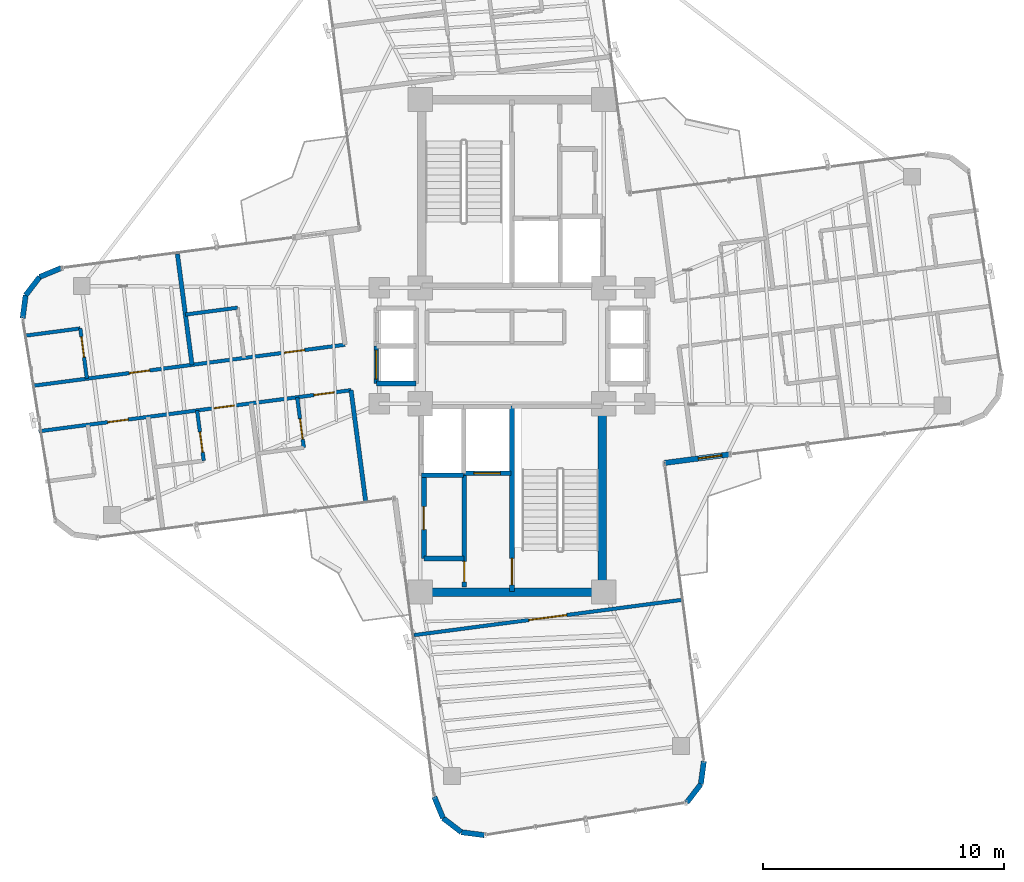
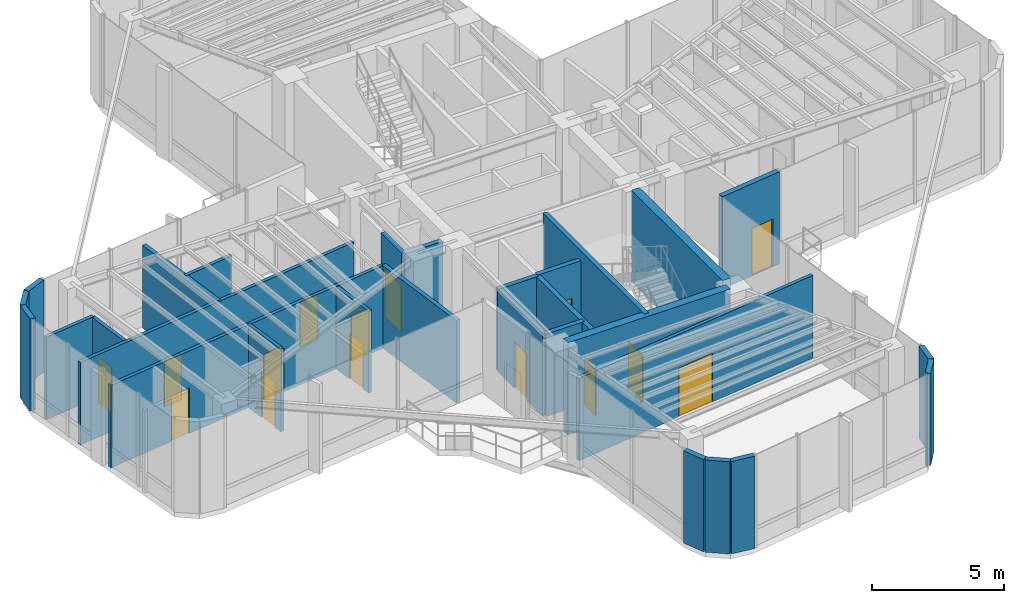
# One storey, part 16 of 20: 29 walls, 15 doors, 15 openings.
"""IFC4 building model written with IfcOpenShell, lengths in metres."""

from ifc_helpers import new_model, si_unit, direction, frame, frame_2d, origin, origin_2d, place, context, subcontext, project, spatial, rectangle, extrude, source, transform, mapped, material, layer, layer_set, type_object, element, fill, save


model = new_model("IFC4")

# Units and contexts
model_context = context("Model", 3, precision=1e-05, world=origin(), true_north=direction((0.0, 1.0)))
body_context = subcontext(model_context, "Body", "Model", "MODEL_VIEW")
ifc_project = project(units=[si_unit("LENGTHUNIT", "METRE"), si_unit("AREAUNIT", "SQUARE_METRE"), si_unit("VOLUMEUNIT", "CUBIC_METRE"), si_unit("PLANEANGLEUNIT", "RADIAN"), si_unit("MASSUNIT", "GRAM", prefix="KILO")], contexts=[model_context])

# Site, building, storey
site_placement = place(None, origin())
site = spatial("IfcSite", under=ifc_project, at=site_placement, CompositionType="ELEMENT")
building_placement = place(site_placement, origin())
building = spatial("IfcBuilding", under=site, at=building_placement, Name="Sahyath Konkavel Grand Hotel", CompositionType="ELEMENT")
storey_placement = place(building_placement, frame((0.0, 0.0, 229.949951171875)))
storey = spatial("IfcBuildingStorey", under=building, at=storey_placement, Name="L64", CompositionType="ELEMENT", Elevation=229.949951171875)

# Walls
ifc_material_1 = material(Name="Concrete C40/50", Category="concrete")
ifc_layer_1 = layer(ifc_material_1, 0.35009765625)
ifc_layer_set_1 = layer_set([ifc_layer_1], Name="Concrete C40/50")
wall_type_1 = type_object("IfcWallType", Name="CWALL-350", PredefinedType="SHEAR", material=ifc_layer_set_1)
wall_1_placement = place(storey_placement, frame((-3.550048828125, -10.199951171875, 0.0), z_axis=(0.0, 0.0, 1.0), x_axis=(1.0, 0.0, 0.0)))
element("IfcWall", 1, at=wall_1_placement, inside=storey, type_object=wall_type_1, Name="L64 South Core Shear Wall S", PredefinedType="SHEAR", context=body_context, shape_type="SweptSolid", body=[
    extrude(rectangle(XDim=7.10009765625, YDim=0.35009765625, at=frame_2d((3.550048828125, 0.0))), origin(), (0.0, 0.0, 1.0), 4.260009765625),
])
wall_2_placement = place(storey_placement, frame((3.739990234375, -9.75, 0.0), z_axis=(0.0, 0.0, 1.0), x_axis=(0.0, 1.0, 0.0)))
element("IfcWall", 2, at=wall_2_placement, inside=storey, type_object=wall_type_1, Name="L64 South Core Shear Wall E", PredefinedType="SHEAR", context=body_context, shape_type="SweptSolid", body=[
    extrude(rectangle(XDim=6.89990234375, YDim=0.35009765625, at=frame_2d((3.449951171875, 0.0))), origin(), (0.0, 0.0, 1.0), 4.260009765625),
])

# Wall, opening, door
ifc_material_2 = material(Name="Warm Buff Sandstone Insulated Concrete C40/50", Category="masonry")
ifc_layer_2 = layer(ifc_material_2, 0.219970703125)
ifc_layer_set_2 = layer_set([ifc_layer_2], Name="Warm Buff Sandstone Insulated Concrete C40/50")
wall_type_2 = type_object("IfcWallType", Name="WLL-BALC-THRESH", PredefinedType="STANDARD", material=ifc_layer_set_2)
wall_3_placement = place(storey_placement, frame((6.320068359375, -4.849609375, 0.0), z_axis=(0.0, 0.0, 1.0), x_axis=(0.991451525486, 0.130475563272, 0.0)))
wall_3 = element("IfcWall", 3, at=wall_3_placement, inside=storey, type_object=wall_type_2, Name="L64 Winter-Garden Threshold Wall 0", PredefinedType="STANDARD", context=body_context, shape_type="SweptSolid", body=[
    extrude(rectangle(XDim=2.7001953125, YDim=0.219970703125, at=frame_2d((1.35009765625, 0.0))), origin(), (0.0, 0.0, 1.0), 4.260009765625),
])
opening_1_placement = place(wall_3_placement, frame((1.39990234375, 0.0, 0.0)))
opening_1 = element("IfcOpeningElement", 4, at=opening_1_placement, cuts=wall_3, Name="Opening D-TR1", PredefinedType="OPENING", context=body_context, shape_type="SweptSolid", body=[
    extrude(rectangle(XDim=1.0, YDim=2.199951171875, at=frame_2d((0.5, 1.10009765625))), frame((0.0, 0.1201171875, 0.0), z_axis=(0.0, -1.0, 0.0), x_axis=(1.0, 0.0, 0.0)), (0.0, 0.0, 1.0), 0.239990234375),
])
ifc_material_3 = material(Name="Anodised Bronze Aluminium & Low-E Glazing", Category="aluminium")
door_type_1 = type_object("IfcDoorType", Name="DR-TERRACE-1000", OperationType="NOTDEFINED", PredefinedType="DOOR", material=ifc_material_3)
shared_shape_1 = source(origin(), body_context, "Body", "SweptSolid", [
    extrude(rectangle(XDim=1.0, YDim=0.050048828125, at=origin_2d()), origin(), (0.0, 0.0, 1.0), 2.199951171875),
])
door_1_placement = place(opening_1_placement, frame((0.5, 0.0, 0.0)))
door_1 = element("IfcDoor", 5, at=door_1_placement, inside=storey, type_object=door_type_1, Name="L64 Winter-Garden Terrace Door 0", OperationType="SINGLE_SWING_LEFT", OverallHeight=2.199951171875, OverallWidth=1.0, PredefinedType="DOOR", context=body_context, shape_type="MappedRepresentation", body=[
    mapped(shared_shape_1, transform((0.0, 0.0, 0.0), scale=1.0)),
])
fill(opening_1, door_1)

# Walls
wall_4_placement = place(storey_placement, frame((-18.677490234375, 3.22265625, 0.0), z_axis=(0.0, 0.0, 1.0), x_axis=(-0.923889442397, -0.382659506909, 0.0)))
element("IfcWall", 6, at=wall_4_placement, inside=storey, type_object=wall_type_2, Name="L64 Rounded Corner Sandstone Pier 17", PredefinedType="STANDARD", context=body_context, shape_type="SweptSolid", body=[
    extrude(rectangle(XDim=0.957763671875, YDim=0.219970703125, at=frame_2d((0.47900390625, 0.0))), origin(), (0.0, 0.0, 1.0), 4.260009765625),
])
wall_5_placement = place(storey_placement, frame((-19.562255859375, 2.856201171875, 0.0), z_axis=(0.0, 0.0, 1.0), x_axis=(-0.60861352168, -0.793466811674, 0.0)))
element("IfcWall", 7, at=wall_5_placement, inside=storey, type_object=wall_type_2, Name="L64 Rounded Corner Sandstone Pier 18", PredefinedType="STANDARD", context=body_context, shape_type="SweptSolid", body=[
    extrude(rectangle(XDim=0.95751953125, YDim=0.219970703125, at=frame_2d((0.478759765625, 0.0))), origin(), (0.0, 0.0, 1.0), 4.260009765625),
])
for number, where, z_axis, x_axis, name in (
    (8, (-20.14501953125, 2.096435546875, 0.0), (0.0, 0.0, 1.0), (-0.130527053476, -0.991444747987, 0.0), "L64 Rounded Corner Sandstone Pier 19"),
    (9, (-3.22265625, -18.677490234375, 0.0), (0.0, 0.0, 1.0), (0.382659506909, -0.923889442397, 0.0), "L64 Rounded Corner Sandstone Pier 25"),
):
    element("IfcWall", number, at=place(storey_placement, frame(where, z_axis=z_axis, x_axis=x_axis)), inside=storey, type_object=wall_type_2, Name=name, PredefinedType="STANDARD", context=body_context, shape_type="SweptSolid", body=[
        extrude(rectangle(XDim=0.957763671875, YDim=0.219970703125, at=frame_2d((0.47900390625, 0.0))), origin(), (0.0, 0.0, 1.0), 4.260009765625),
    ])
wall_6_placement = place(storey_placement, frame((-2.856201171875, -19.562255859375, 0.0), z_axis=(0.0, 0.0, 1.0), x_axis=(0.793466811674, -0.60861352168, 0.0)))
element("IfcWall", 10, at=wall_6_placement, inside=storey, type_object=wall_type_2, Name="L64 Rounded Corner Sandstone Pier 26", PredefinedType="STANDARD", context=body_context, shape_type="SweptSolid", body=[
    extrude(rectangle(XDim=0.95751953125, YDim=0.219970703125, at=frame_2d((0.478759765625, 0.0))), origin(), (0.0, 0.0, 1.0), 4.260009765625),
])
wall_7_placement = place(storey_placement, frame((-2.096435546875, -20.14501953125, 0.0), z_axis=(0.0, 0.0, 1.0), x_axis=(0.991444747987, -0.130527053476, 0.0)))
element("IfcWall", 11, at=wall_7_placement, inside=storey, type_object=wall_type_2, Name="L64 Rounded Corner Sandstone Pier 27", PredefinedType="STANDARD", context=body_context, shape_type="SweptSolid", body=[
    extrude(rectangle(XDim=0.957763671875, YDim=0.219970703125, at=frame_2d((0.47900390625, 0.0))), origin(), (0.0, 0.0, 1.0), 4.260009765625),
])
wall_8_placement = place(storey_placement, frame((7.239013671875, -18.916015625, 0.0), z_axis=(0.0, 0.0, 1.0), x_axis=(0.608897151398, 0.793249178392, 0.0)))
element("IfcWall", 12, at=wall_8_placement, inside=storey, type_object=wall_type_2, Name="L64 Rounded Corner Sandstone Pier 29", PredefinedType="STANDARD", context=body_context, shape_type="SweptSolid", body=[
    extrude(rectangle(XDim=0.95751953125, YDim=0.219970703125, at=frame_2d((0.478759765625, 0.0))), origin(), (0.0, 0.0, 1.0), 4.260009765625),
])
wall_9_placement = place(storey_placement, frame((7.822021484375, -18.156494140625, 0.0), z_axis=(0.0, 0.0, 1.0), x_axis=(0.130494070426, 0.991449089759, 0.0)))
element("IfcWall", 13, at=wall_9_placement, inside=storey, type_object=wall_type_2, Name="L64 Rounded Corner Sandstone Pier 30", PredefinedType="STANDARD", context=body_context, shape_type="SweptSolid", body=[
    extrude(rectangle(XDim=0.9580078125, YDim=0.219970703125, at=frame_2d((0.47900390625, 0.0))), origin(), (0.0, 0.0, 1.0), 4.260009765625),
])

# Wall, opening, door
ifc_layer_3 = layer(ifc_material_1, 0.199951171875)
ifc_layer_set_3 = layer_set([ifc_layer_3], Name="Concrete C40/50")
wall_type_3 = type_object("IfcWallType", Name="WLL-CORE-200", PredefinedType="SOLIDWALL", material=ifc_layer_set_3)
wall_10_placement = place(storey_placement, frame((0.0, -10.179931640625, 0.0), z_axis=(0.0, 0.0, 1.0), x_axis=(0.0, 1.0, 0.0)))
wall_10 = element("IfcWall", 14, at=wall_10_placement, inside=storey, type_object=wall_type_3, Name="L64 Stair ST-2 Shaft Wall W", PredefinedType="SOLIDWALL", context=body_context, shape_type="SweptSolid", body=[
    extrude(rectangle(XDim=7.679931640625, YDim=0.199951171875, at=frame_2d((3.83984375, 0.0))), origin(), (0.0, 0.0, 1.0), 4.260009765625),
])
opening_2_placement = place(wall_10_placement, frame((0.280029296875, 0.0, 0.0)))
opening_2 = element("IfcOpeningElement", 15, at=opening_2_placement, cuts=wall_10, Name="Opening D-F12B", PredefinedType="OPENING", context=body_context, shape_type="SweptSolid", body=[
    extrude(rectangle(XDim=1.10009765625, YDim=2.14990234375, at=frame_2d((0.550048828125, 1.074951171875))), frame((0.0, 0.10986328125, 0.0), z_axis=(0.0, -1.0, 0.0), x_axis=(1.0, 0.0, 0.0)), (0.0, 0.0, 1.0), 0.219970703125),
])
ifc_material_4 = material(Name="Steel E350 Smokeproof Fire Door", Category="steel")
door_type_2 = type_object("IfcDoorType", Name="DR-FD120-1100", OperationType="NOTDEFINED", PredefinedType="DOOR", material=ifc_material_4)
shared_shape_2 = source(origin(), body_context, "Body", "SweptSolid", [
    extrude(rectangle(XDim=1.10009765625, YDim=0.050048828125, at=origin_2d()), origin(), (0.0, 0.0, 1.0), 2.14990234375),
])
door_2_placement = place(opening_2_placement, frame((0.550048828125, 0.0, 0.0)))
door_2 = element("IfcDoor", 16, at=door_2_placement, inside=storey, type_object=door_type_2, Name="L64 Stair ST-2 Fire Door", OperationType="SINGLE_SWING_LEFT", OverallHeight=2.14990234375, OverallWidth=1.10009765625, PredefinedType="DOOR", context=body_context, shape_type="MappedRepresentation", body=[
    mapped(shared_shape_2, transform((0.0, 0.0, 0.0), scale=1.0)),
])
fill(opening_2, door_2)

wall_11_placement = place(storey_placement, frame((-1.97998046875, -9.97998046875, 0.0), z_axis=(0.0, 0.0, 1.0), x_axis=(0.0, 1.0, 0.0)))
wall_11 = element("IfcWall", 17, at=wall_11_placement, inside=storey, type_object=wall_type_3, Name="L64 South Firefighting Lobby Wall W", PredefinedType="SOLIDWALL", context=body_context, shape_type="SweptSolid", body=[
    extrude(rectangle(XDim=4.659912109375, YDim=0.199951171875, at=frame_2d((2.330078125, 0.0))), origin(), (0.0, 0.0, 1.0), 3.81005859375),
])
opening_3_placement = place(wall_11_placement, frame((0.199951171875, 0.0, 0.0)))
opening_3 = element("IfcOpeningElement", 18, at=opening_3_placement, cuts=wall_11, Name="Opening D-F12D", PredefinedType="OPENING", context=body_context, shape_type="SweptSolid", body=[
    extrude(rectangle(XDim=0.85009765625, YDim=2.10009765625, at=frame_2d((0.425048828125, 1.050048828125))), frame((0.0, 0.10986328125, 0.0), z_axis=(0.0, -1.0, 0.0), x_axis=(1.0, 0.0, 0.0)), (0.0, 0.0, 1.0), 0.219970703125),
])
ifc_material_5 = material(Name="Steel E350 Core Fire Door", Category="steel")
door_type_3 = type_object("IfcDoorType", Name="DR-FD120-850", OperationType="NOTDEFINED", PredefinedType="DOOR", material=ifc_material_5)
shared_shape_3 = source(origin(), body_context, "Body", "SweptSolid", [
    extrude(rectangle(XDim=0.85009765625, YDim=0.050048828125, at=origin_2d()), origin(), (0.0, 0.0, 1.0), 2.10009765625),
])
door_3_placement = place(opening_3_placement, frame((0.425048828125, 0.0, 0.0)))
door_3 = element("IfcDoor", 19, at=door_3_placement, inside=storey, type_object=door_type_3, Name="L64 South Firefighting Lobby Door", OperationType="SINGLE_SWING_LEFT", OverallHeight=2.10009765625, OverallWidth=0.85009765625, PredefinedType="DOOR", context=body_context, shape_type="MappedRepresentation", body=[
    mapped(shared_shape_3, transform((0.0, 0.0, 0.0), scale=1.0)),
])
fill(opening_3, door_3)

wall_12_placement = place(storey_placement, frame((-1.97998046875, -5.280029296875, 0.0), z_axis=(0.0, 0.0, 1.0), x_axis=(1.0, 0.0, 0.0)))
wall_12 = element("IfcWall", 20, at=wall_12_placement, inside=storey, type_object=wall_type_3, Name="L64 Partition SH-FFL2-S", PredefinedType="SOLIDWALL", context=body_context, shape_type="SweptSolid", body=[
    extrude(rectangle(XDim=1.929931640625, YDim=0.199951171875, at=frame_2d((0.96484375, 0.0))), origin(), (0.0, 0.0, 1.0), 3.81005859375),
])
opening_4_placement = place(wall_12_placement, frame((0.39990234375, 0.0, 0.0)))
opening_4 = element("IfcOpeningElement", 21, at=opening_4_placement, cuts=wall_12, Name="Opening LD-11", PredefinedType="OPENING", context=body_context, shape_type="SweptSolid", body=[
    extrude(rectangle(XDim=1.10009765625, YDim=2.199951171875, at=frame_2d((0.550048828125, 1.10009765625))), frame((0.0, 0.10986328125, 0.0), z_axis=(0.0, -1.0, 0.0), x_axis=(1.0, 0.0, 0.0)), (0.0, 0.0, 1.0), 0.219970703125),
])
ifc_material_6 = material(Name="Bronze Lift Landing Door 1100")
door_type_4 = type_object("IfcDoorType", Name="DR-LIFT-1100", OperationType="DOUBLE_DOOR_SLIDING", PredefinedType="DOOR", material=ifc_material_6)
shared_shape_4 = source(origin(), body_context, "Body", "SweptSolid", [
    extrude(rectangle(XDim=1.10009765625, YDim=0.050048828125, at=origin_2d()), origin(), (0.0, 0.0, 1.0), 2.199951171875),
])
door_4_placement = place(opening_4_placement, frame((0.550048828125, 0.0, 0.0)))
door_4 = element("IfcDoor", 22, at=door_4_placement, inside=storey, type_object=door_type_4, Name="L64 Lift FFL-2 Landing Door", OperationType="DOUBLE_DOOR_SLIDING", OverallHeight=2.199951171875, OverallWidth=1.10009765625, PredefinedType="DOOR", context=body_context, shape_type="MappedRepresentation", body=[
    mapped(shared_shape_4, transform((0.0, 0.0, 0.0), scale=1.0)),
])
fill(opening_4, door_4)

# Walls
wall_13_placement = place(storey_placement, frame((-3.739990234375, -5.360107421875, 0.0), z_axis=(0.0, 0.0, 1.0), x_axis=(1.0, 0.0, 0.0)))
element("IfcWall", 23, at=wall_13_placement, inside=storey, type_object=wall_type_3, Name="L64 Partition SH-SVL2-S", PredefinedType="SOLIDWALL", context=body_context, shape_type="SweptSolid", body=[
    extrude(rectangle(XDim=1.739990234375, YDim=0.199951171875, at=frame_2d((0.8701171875, 0.0))), origin(), (0.0, 0.0, 1.0), 3.81005859375),
])
wall_14_placement = place(storey_placement, frame((-5.6201171875, -1.56005859375, 0.0), z_axis=(0.0, 0.0, 1.0), x_axis=(1.0, 0.0, 0.0)))
element("IfcWall", 24, at=wall_14_placement, inside=storey, type_object=wall_type_3, Name="L64 Partition SH-SL12-S", PredefinedType="SOLIDWALL", context=body_context, shape_type="SweptSolid", body=[
    extrude(rectangle(XDim=1.64013671875, YDim=0.199951171875, at=frame_2d((0.820068359375, 0.0))), origin(), (0.0, 0.0, 1.0), 3.81005859375),
])

# Wall, opening, door
wall_15_placement = place(storey_placement, frame((-5.6201171875, -1.56005859375, 0.0), z_axis=(0.0, 0.0, 1.0), x_axis=(0.0, 1.0, 0.0)))
wall_15 = element("IfcWall", 25, at=wall_15_placement, inside=storey, type_object=wall_type_3, Name="L64 Partition SH-SL2-W", PredefinedType="SOLIDWALL", context=body_context, shape_type="SweptSolid", body=[
    extrude(rectangle(XDim=1.56005859375, YDim=0.199951171875, at=frame_2d((0.780029296875, 0.0))), origin(), (0.0, 0.0, 1.0), 3.81005859375),
])
opening_5_placement = place(wall_15_placement, frame((0.179931640625, 0.0, 0.0)))
opening_5 = element("IfcOpeningElement", 26, at=opening_5_placement, cuts=wall_15, Name="Opening LD-12", PredefinedType="OPENING", context=body_context, shape_type="SweptSolid", body=[
    extrude(rectangle(XDim=1.199951171875, YDim=2.199951171875, at=frame_2d((0.60009765625, 1.10009765625))), frame((0.0, 0.10986328125, 0.0), z_axis=(0.0, -1.0, 0.0), x_axis=(1.0, 0.0, 0.0)), (0.0, 0.0, 1.0), 0.219970703125),
])
ifc_material_7 = material(Name="Stainless Steel Lift Landing Door 1200", Category="steel")
door_type_5 = type_object("IfcDoorType", Name="DR-LIFT-1200", OperationType="DOUBLE_DOOR_SLIDING", PredefinedType="DOOR", material=ifc_material_7)
shared_shape_5 = source(origin(), body_context, "Body", "SweptSolid", [
    extrude(rectangle(XDim=1.199951171875, YDim=0.050048828125, at=origin_2d()), origin(), (0.0, 0.0, 1.0), 2.199951171875),
])
door_5_placement = place(opening_5_placement, frame((0.60009765625, 0.0, 0.0)))
door_5 = element("IfcDoor", 27, at=door_5_placement, inside=storey, type_object=door_type_5, Name="L64 Express Shuttle SL-2 Landing Door", OperationType="DOUBLE_DOOR_SLIDING", OverallHeight=2.199951171875, OverallWidth=1.199951171875, PredefinedType="DOOR", context=body_context, shape_type="MappedRepresentation", body=[
    mapped(shared_shape_5, transform((0.0, 0.0, 0.0), scale=1.0)),
])
fill(opening_5, door_5)

wall_16_placement = place(storey_placement, frame((-3.64990234375, -8.81005859375, 0.0), z_axis=(0.0, 0.0, 1.0), x_axis=(0.0, 1.0, 0.0)))
wall_16 = element("IfcWall", 28, at=wall_16_placement, inside=storey, type_object=wall_type_3, Name="L64 Reclaimed South Core Wall W", PredefinedType="SOLIDWALL", context=body_context, shape_type="SweptSolid", body=[
    extrude(rectangle(XDim=3.43017578125, YDim=0.199951171875, at=frame_2d((1.715087890625, 0.0))), origin(), (0.0, 0.0, 1.0), 3.81005859375),
])
opening_6_placement = place(wall_16_placement, frame((1.199951171875, 0.0, 0.0)))
opening_6 = element("IfcOpeningElement", 29, at=opening_6_placement, cuts=wall_16, Name="Opening D-AC95", PredefinedType="OPENING", context=body_context, shape_type="SweptSolid", body=[
    extrude(rectangle(XDim=0.949951171875, YDim=2.14990234375, at=frame_2d((0.47509765625, 1.074951171875))), frame((0.0, 0.10986328125, 0.0), z_axis=(0.0, -1.0, 0.0), x_axis=(1.0, 0.0, 0.0)), (0.0, 0.0, 1.0), 0.219970703125),
])
ifc_material_8 = material(Name="Accessible Washroom Timber Door", Category="wood")
door_type_6 = type_object("IfcDoorType", Name="DR-ACC-950", OperationType="NOTDEFINED", PredefinedType="DOOR", material=ifc_material_8)
shared_shape_6 = source(origin(), body_context, "Body", "SweptSolid", [
    extrude(rectangle(XDim=0.949951171875, YDim=0.050048828125, at=origin_2d()), origin(), (0.0, 0.0, 1.0), 2.14990234375),
])
door_6_placement = place(opening_6_placement, frame((0.47509765625, 0.0, 0.0)))
door_6 = element("IfcDoor", 30, at=door_6_placement, inside=storey, type_object=door_type_6, Name="L64 Door SC-REC1-D", OperationType="SINGLE_SWING_LEFT", OverallHeight=2.14990234375, OverallWidth=0.949951171875, PredefinedType="DOOR", context=body_context, shape_type="MappedRepresentation", body=[
    mapped(shared_shape_6, transform((0.0, 0.0, 0.0), scale=1.0)),
])
fill(opening_6, door_6)

# Walls
wall_17_placement = place(storey_placement, frame((-3.64990234375, -8.81005859375, 0.0), z_axis=(0.0, 0.0, 1.0), x_axis=(1.0, 0.0, 0.0)))
element("IfcWall", 31, at=wall_17_placement, inside=storey, type_object=wall_type_3, Name="L64 Partition SC-REC-S", PredefinedType="SOLIDWALL", context=body_context, shape_type="SweptSolid", body=[
    extrude(rectangle(XDim=1.669921875, YDim=0.199951171875, at=frame_2d((0.8349609375, 0.0))), origin(), (0.0, 0.0, 1.0), 3.81005859375),
])
ifc_material_9 = material(Name="Twin-Stud Acoustic Gypsum Plasterboard Partition")
ifc_layer_4 = layer(ifc_material_9, 0.179931640625)
ifc_layer_set_4 = layer_set([ifc_layer_4], Name="Twin-Stud Acoustic Gypsum Plasterboard Partition")
wall_type_4 = type_object("IfcWallType", Name="WLL-DEMISE-180", PredefinedType="PARTITIONING", material=ifc_layer_set_4)
for number, where, z_axis, x_axis, name in (
    (32, (-6.66748046875, -1.8359375, 0.0), (0.0, 0.0, 1.0), (0.130530849518, -0.991444248218, 0.0), "L64 Partition W-INL"),
    (33, (-13.253662109375, -0.78662109375, 0.0), (0.0, 0.0, 1.0), (-0.130530849518, 0.991444248218, 0.0), "L64 Partition W-W1R-DEM"),
):
    element("IfcWall", number, at=place(storey_placement, frame(where, z_axis=z_axis, x_axis=x_axis)), inside=storey, type_object=wall_type_4, Name=name, PredefinedType="PARTITIONING", context=body_context, shape_type="SweptSolid", body=[
        extrude(rectangle(XDim=4.6328125, YDim=0.179931640625, at=frame_2d((2.31640625, 0.0))), origin(), (0.0, 0.0, 1.0), 3.81005859375),
    ])

# Wall, openings, doors
ifc_material_10 = material(Name="Fire-Rated Gypsum Plasterboard Partition")
ifc_layer_5 = layer(ifc_material_10, 0.14990234375)
ifc_layer_set_5 = layer_set([ifc_layer_5], Name="Fire-Rated Gypsum Plasterboard Partition")
wall_type_5 = type_object("IfcWallType", Name="WLL-PART-150", PredefinedType="PARTITIONING", material=ifc_layer_set_5)
wall_18_placement = place(storey_placement, frame((-6.66748046875, -1.8359375, 0.0), z_axis=(0.0, 0.0, 1.0), x_axis=(-0.991443273426, -0.130538253316, 0.0)))
wall_18 = element("IfcWall", 34, at=wall_18_placement, inside=storey, type_object=wall_type_5, Name="L64 Partition W-CL", PredefinedType="PARTITIONING", context=body_context, shape_type="SweptSolid", body=[
    extrude(rectangle(XDim=13.046875, YDim=0.14990234375, at=frame_2d((6.5234375, 0.0))), origin(), (0.0, 0.0, 1.0), 3.81005859375),
])
opening_7_placement = place(wall_18_placement, frame((0.699951171875, 0.0, 0.0)))
opening_7 = element("IfcOpeningElement", 35, at=opening_7_placement, cuts=wall_18, Name="Opening D-F06D", PredefinedType="OPENING", context=body_context, shape_type="SweptSolid", body=[
    extrude(rectangle(XDim=0.85009765625, YDim=2.10009765625, at=frame_2d((0.425048828125, 1.050048828125))), frame((0.0, 0.0849609375, 0.0), z_axis=(0.0, -1.0, 0.0), x_axis=(1.0, 0.0, 0.0)), (0.0, 0.0, 1.0), 0.169921875),
])
opening_8_placement = place(wall_18_placement, frame((4.8779296875, 0.0, 0.0)))
opening_8 = element("IfcOpeningElement", 36, at=opening_8_placement, cuts=wall_18, Name="Opening D-F06D", PredefinedType="OPENING", context=body_context, shape_type="SweptSolid", body=[
    extrude(rectangle(XDim=0.85009765625, YDim=2.10009765625, at=frame_2d((0.425048828125, 1.050048828125))), frame((0.0, 0.0849609375, 0.0), z_axis=(0.0, -1.0, 0.0), x_axis=(1.0, 0.0, 0.0)), (0.0, 0.0, 1.0), 0.169921875),
])
opening_9_placement = place(wall_18_placement, frame((9.31396484375, 0.0, 0.0)))
opening_9 = element("IfcOpeningElement", 37, at=opening_9_placement, cuts=wall_18, Name="Opening D-F06D", PredefinedType="OPENING", context=body_context, shape_type="SweptSolid", body=[
    extrude(rectangle(XDim=0.85009765625, YDim=2.10009765625, at=frame_2d((0.425048828125, 1.050048828125))), frame((0.0, 0.0849609375, 0.0), z_axis=(0.0, -1.0, 0.0), x_axis=(1.0, 0.0, 0.0)), (0.0, 0.0, 1.0), 0.169921875),
])
ifc_material_11 = material(Name="Fire-Rated Shaft Access Door")
door_type_7 = type_object("IfcDoorType", Name="DR-FD60-850", OperationType="NOTDEFINED", PredefinedType="DOOR", material=ifc_material_11)
door_7_placement = place(opening_7_placement, frame((0.425048828125, 0.0, 0.0)))
door_7 = element("IfcDoor", 38, at=door_7_placement, inside=storey, type_object=door_type_7, Name="L64 Door W-W1L-ED", OperationType="SINGLE_SWING_RIGHT", OverallHeight=2.10009765625, OverallWidth=0.85009765625, PredefinedType="DOOR", context=body_context, shape_type="MappedRepresentation", body=[
    mapped(shared_shape_3, transform((0.0, 0.0, 0.0), scale=1.0)),
])
fill(opening_7, door_7)
door_8_placement = place(opening_8_placement, frame((0.425048828125, 0.0, 0.0)))
door_8 = element("IfcDoor", 39, at=door_8_placement, inside=storey, type_object=door_type_7, Name="L64 Door W-W2L-ED", OperationType="SINGLE_SWING_RIGHT", OverallHeight=2.10009765625, OverallWidth=0.85009765625, PredefinedType="DOOR", context=body_context, shape_type="MappedRepresentation", body=[
    mapped(shared_shape_3, transform((0.0, 0.0, 0.0), scale=1.0)),
])
fill(opening_8, door_8)
door_9_placement = place(opening_9_placement, frame((0.425048828125, 0.0, 0.0)))
door_9 = element("IfcDoor", 40, at=door_9_placement, inside=storey, type_object=door_type_7, Name="L64 Door W-W3L-ED", OperationType="SINGLE_SWING_RIGHT", OverallHeight=2.10009765625, OverallWidth=0.85009765625, PredefinedType="DOOR", context=body_context, shape_type="MappedRepresentation", body=[
    mapped(shared_shape_3, transform((0.0, 0.0, 0.0), scale=1.0)),
])
fill(opening_9, door_9)

wall_19_placement = place(storey_placement, frame((-6.915283203125, 0.0478515625, 0.0), z_axis=(0.0, 0.0, 1.0), x_axis=(-0.991443592282, -0.130535831567, 0.0)))
wall_19 = element("IfcWall", 41, at=wall_19_placement, inside=storey, type_object=wall_type_5, Name="L64 Partition W-CR", PredefinedType="PARTITIONING", context=body_context, shape_type="SweptSolid", body=[
    extrude(rectangle(XDim=13.047119140625, YDim=0.14990234375, at=frame_2d((6.5234375, 0.0))), origin(), (0.0, 0.0, 1.0), 3.81005859375),
])
opening_10_placement = place(wall_19_placement, frame((1.68505859375, 0.0, 0.0)))
opening_10 = element("IfcOpeningElement", 42, at=opening_10_placement, cuts=wall_19, Name="Opening D-F06D", PredefinedType="OPENING", context=body_context, shape_type="SweptSolid", body=[
    extrude(rectangle(XDim=0.85009765625, YDim=2.10009765625, at=frame_2d((0.425048828125, 1.050048828125))), frame((0.0, 0.0849609375, 0.0), z_axis=(0.0, -1.0, 0.0), x_axis=(1.0, 0.0, 0.0)), (0.0, 0.0, 1.0), 0.169921875),
])
opening_11_placement = place(wall_19_placement, frame((8.1640625, 0.0, 0.0)))
opening_11 = element("IfcOpeningElement", 43, at=opening_11_placement, cuts=wall_19, Name="Opening D-F06D", PredefinedType="OPENING", context=body_context, shape_type="SweptSolid", body=[
    extrude(rectangle(XDim=0.85009765625, YDim=2.10009765625, at=frame_2d((0.425048828125, 1.050048828125))), frame((0.0, 0.0849609375, 0.0), z_axis=(0.0, -1.0, 0.0), x_axis=(1.0, 0.0, 0.0)), (0.0, 0.0, 1.0), 0.169921875),
])
door_10_placement = place(opening_10_placement, frame((0.425048828125, 0.0, 0.0)))
door_10 = element("IfcDoor", 44, at=door_10_placement, inside=storey, type_object=door_type_7, Name="L64 Door W-W1R-ED", OperationType="SINGLE_SWING_RIGHT", OverallHeight=2.10009765625, OverallWidth=0.85009765625, PredefinedType="DOOR", context=body_context, shape_type="MappedRepresentation", body=[
    mapped(shared_shape_3, transform((0.0, 0.0, 0.0), scale=1.0)),
])
fill(opening_10, door_10)
door_11_placement = place(opening_11_placement, frame((0.425048828125, 0.0, 0.0)))
door_11 = element("IfcDoor", 45, at=door_11_placement, inside=storey, type_object=door_type_7, Name="L64 Door W-W2R-ED", OperationType="SINGLE_SWING_RIGHT", OverallHeight=2.10009765625, OverallWidth=0.85009765625, PredefinedType="DOOR", context=body_context, shape_type="MappedRepresentation", body=[
    mapped(shared_shape_3, transform((0.0, 0.0, 0.0), scale=1.0)),
])
fill(opening_11, door_11)

# Wall, opening, door
wall_20_placement = place(storey_placement, frame((-8.898193359375, -2.129638671875, 0.0), z_axis=(0.0, 0.0, 1.0), x_axis=(0.130556761174, -0.991440836415, 0.0)))
wall_20 = element("IfcWall", 46, at=wall_20_placement, inside=storey, type_object=wall_type_5, Name="L64 Partition W-W1L-BS", PredefinedType="PARTITIONING", context=body_context, shape_type="SweptSolid", body=[
    extrude(rectangle(XDim=2.10009765625, YDim=0.14990234375, at=frame_2d((1.050048828125, 0.0))), origin(), (0.0, 0.0, 1.0), 3.780029296875),
])
opening_12_placement = place(wall_20_placement, frame((0.89990234375, 0.0, 0.0)))
opening_12 = element("IfcOpeningElement", 47, at=opening_12_placement, cuts=wall_20, Name="Opening D-BT85", PredefinedType="OPENING", context=body_context, shape_type="SweptSolid", body=[
    extrude(rectangle(XDim=0.85009765625, YDim=2.10009765625, at=frame_2d((0.425048828125, 1.050048828125))), frame((0.0, 0.0849609375, 0.0), z_axis=(0.0, -1.0, 0.0), x_axis=(1.0, 0.0, 0.0)), (0.0, 0.0, 1.0), 0.169921875),
])
ifc_material_12 = material(Name="Moisture-Resistant Teak Bathroom Door")
door_type_8 = type_object("IfcDoorType", Name="DR-BATH-850", OperationType="NOTDEFINED", PredefinedType="DOOR", material=ifc_material_12)
door_12_placement = place(opening_12_placement, frame((0.425048828125, 0.0, 0.0)))
door_12 = element("IfcDoor", 48, at=door_12_placement, inside=storey, type_object=door_type_8, Name="L64 Door W-W1L-BD", OperationType="SINGLE_SWING_LEFT", OverallHeight=2.10009765625, OverallWidth=0.85009765625, PredefinedType="DOOR", context=body_context, shape_type="MappedRepresentation", body=[
    mapped(shared_shape_3, transform((0.0, 0.0, 0.0), scale=1.0)),
])
fill(opening_12, door_12)

wall_21_placement = place(storey_placement, frame((-13.04345703125, -2.67529296875, 0.0), z_axis=(0.0, 0.0, 1.0), x_axis=(0.130556761174, -0.991440836415, 0.0)))
wall_21 = element("IfcWall", 49, at=wall_21_placement, inside=storey, type_object=wall_type_5, Name="L64 Partition W-W2L-BS", PredefinedType="PARTITIONING", context=body_context, shape_type="SweptSolid", body=[
    extrude(rectangle(XDim=2.10009765625, YDim=0.14990234375, at=frame_2d((1.050048828125, 0.0))), origin(), (0.0, 0.0, 1.0), 3.81005859375),
])
opening_13_placement = place(wall_21_placement, frame((0.89990234375, 0.0, 0.0)))
opening_13 = element("IfcOpeningElement", 50, at=opening_13_placement, cuts=wall_21, Name="Opening D-BT85", PredefinedType="OPENING", context=body_context, shape_type="SweptSolid", body=[
    extrude(rectangle(XDim=0.85009765625, YDim=2.10009765625, at=frame_2d((0.425048828125, 1.050048828125))), frame((0.0, 0.0849609375, 0.0), z_axis=(0.0, -1.0, 0.0), x_axis=(1.0, 0.0, 0.0)), (0.0, 0.0, 1.0), 0.169921875),
])
door_13_placement = place(opening_13_placement, frame((0.425048828125, 0.0, 0.0)))
door_13 = element("IfcDoor", 51, at=door_13_placement, inside=storey, type_object=door_type_8, Name="L64 Door W-W2L-BD", OperationType="SINGLE_SWING_LEFT", OverallHeight=2.10009765625, OverallWidth=0.85009765625, PredefinedType="DOOR", context=body_context, shape_type="MappedRepresentation", body=[
    mapped(shared_shape_3, transform((0.0, 0.0, 0.0), scale=1.0)),
])
fill(opening_13, door_13)

# Wall
wall_22_placement = place(storey_placement, frame((-11.372314453125, 1.5791015625, 0.0), z_axis=(0.0, 0.0, 1.0), x_axis=(-0.991450090664, -0.130486465665, 0.0)))
element("IfcWall", 52, at=wall_22_placement, inside=storey, type_object=wall_type_5, Name="L64 Partition W-W1R-BF", PredefinedType="PARTITIONING", context=body_context, shape_type="SweptSolid", body=[
    extrude(rectangle(XDim=2.174072265625, YDim=0.14990234375, at=frame_2d((1.0869140625, 0.0))), origin(), (0.0, 0.0, 1.0), 3.81005859375),
])

# Wall, opening, door
wall_23_placement = place(storey_placement, frame((-17.608154296875, -1.360107421875, 0.0), z_axis=(0.0, 0.0, 1.0), x_axis=(-0.130427449241, 0.991457856131, 0.0)))
wall_23 = element("IfcWall", 53, at=wall_23_placement, inside=storey, type_object=wall_type_5, Name="L64 Partition W-W2R-BS", PredefinedType="PARTITIONING", context=body_context, shape_type="SweptSolid", body=[
    extrude(rectangle(XDim=2.10009765625, YDim=0.14990234375, at=frame_2d((1.050048828125, 0.0))), origin(), (0.0, 0.0, 1.0), 3.780029296875),
])
opening_14_placement = place(wall_23_placement, frame((0.89990234375, 0.0, 0.0)))
opening_14 = element("IfcOpeningElement", 54, at=opening_14_placement, cuts=wall_23, Name="Opening D-BT85", PredefinedType="OPENING", context=body_context, shape_type="SweptSolid", body=[
    extrude(rectangle(XDim=0.85009765625, YDim=2.10009765625, at=frame_2d((0.425048828125, 1.050048828125))), frame((0.0, 0.0849609375, 0.0), z_axis=(0.0, -1.0, 0.0), x_axis=(1.0, 0.0, 0.0)), (0.0, 0.0, 1.0), 0.169921875),
])
door_14_placement = place(opening_14_placement, frame((0.425048828125, 0.0, 0.0)))
door_14 = element("IfcDoor", 55, at=door_14_placement, inside=storey, type_object=door_type_8, Name="L64 Door W-W2R-BD", OperationType="SINGLE_SWING_LEFT", OverallHeight=2.10009765625, OverallWidth=0.85009765625, PredefinedType="DOOR", context=body_context, shape_type="MappedRepresentation", body=[
    mapped(shared_shape_3, transform((0.0, 0.0, 0.0), scale=1.0)),
])
fill(opening_14, door_14)

# Wall
wall_24_placement = place(storey_placement, frame((-17.882080078125, 0.72216796875, 0.0), z_axis=(0.0, 0.0, 1.0), x_axis=(-0.99143775836, -0.130580133625, 0.0)))
element("IfcWall", 56, at=wall_24_placement, inside=storey, type_object=wall_type_5, Name="L64 Partition W-W2R-BF", PredefinedType="PARTITIONING", context=body_context, shape_type="SweptSolid", body=[
    extrude(rectangle(XDim=2.26220703125, YDim=0.14990234375, at=frame_2d((1.131103515625, 0.0))), origin(), (0.0, 0.0, 1.0), 3.81005859375),
])

# Wall, opening, door
wall_25_placement = place(storey_placement, frame((-4.0537109375, -11.981689453125, 0.0), z_axis=(0.0, 0.0, 1.0), x_axis=(0.991443873416, 0.130533696284, 0.0)))
wall_25 = element("IfcWall", 57, at=wall_25_placement, inside=storey, type_object=wall_type_5, Name="L64 Partition S-SAL-IN", PredefinedType="PARTITIONING", context=body_context, shape_type="SweptSolid", body=[
    extrude(rectangle(XDim=11.165771484375, YDim=0.14990234375, at=frame_2d((5.5830078125, 0.0))), origin(), (0.0, 0.0, 1.0), 3.81005859375),
])
opening_15_placement = place(wall_25_placement, frame((4.782958984375, 0.0, 0.0)))
opening_15 = element("IfcOpeningElement", 58, at=opening_15_placement, cuts=wall_25, Name="Opening D-DB16", PredefinedType="OPENING", context=body_context, shape_type="SweptSolid", body=[
    extrude(rectangle(XDim=1.60009765625, YDim=2.25, at=frame_2d((0.800048828125, 1.125))), frame((0.0, 0.0849609375, 0.0), z_axis=(0.0, -1.0, 0.0), x_axis=(1.0, 0.0, 0.0)), (0.0, 0.0, 1.0), 0.169921875),
])
ifc_material_13 = material(Name="Double Leaf Lounge Glazed Timber Door", Category="wood")
door_type_9 = type_object("IfcDoorType", Name="DR-DBL-1600", OperationType="DOUBLE_DOOR_SINGLE_SWING", PredefinedType="DOOR", material=ifc_material_13)
shared_shape_7 = source(origin(), body_context, "Body", "SweptSolid", [
    extrude(rectangle(XDim=1.60009765625, YDim=0.050048828125, at=origin_2d()), origin(), (0.0, 0.0, 1.0), 2.25),
])
door_15_placement = place(opening_15_placement, frame((0.800048828125, 0.0, 0.0)))
door_15 = element("IfcDoor", 59, at=door_15_placement, inside=storey, type_object=door_type_9, Name="L64 Door S-SAL-D", OperationType="DOUBLE_DOOR_SINGLE_SWING", OverallHeight=2.25, OverallWidth=1.60009765625, PredefinedType="DOOR", context=body_context, shape_type="MappedRepresentation", body=[
    mapped(shared_shape_7, transform((0.0, 0.0, 0.0), scale=1.0)),
])
fill(opening_15, door_15)

save(model, "model.ifc")
